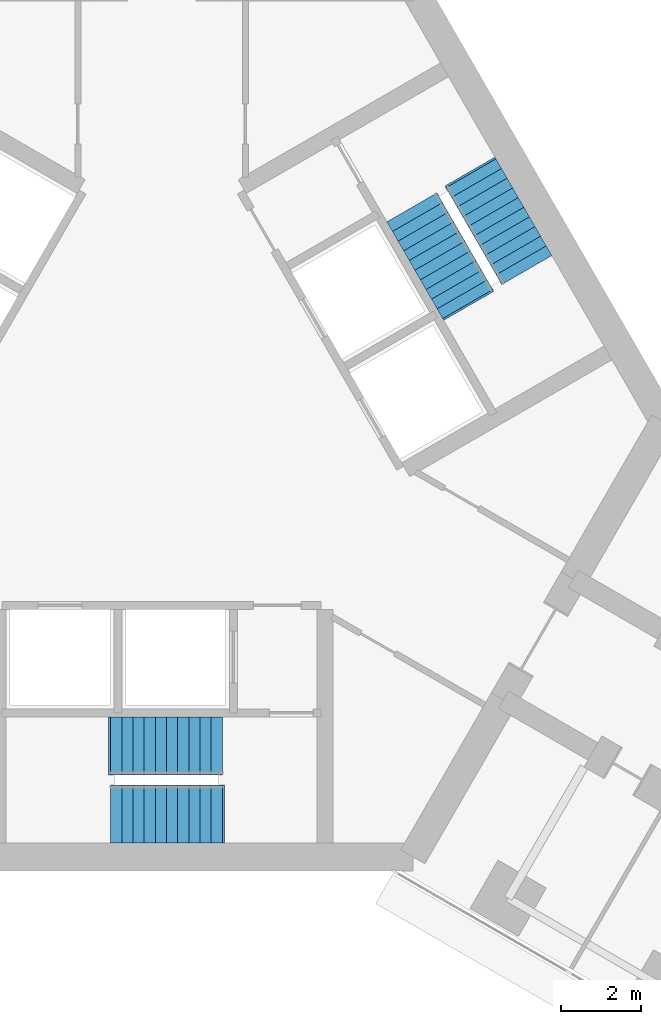
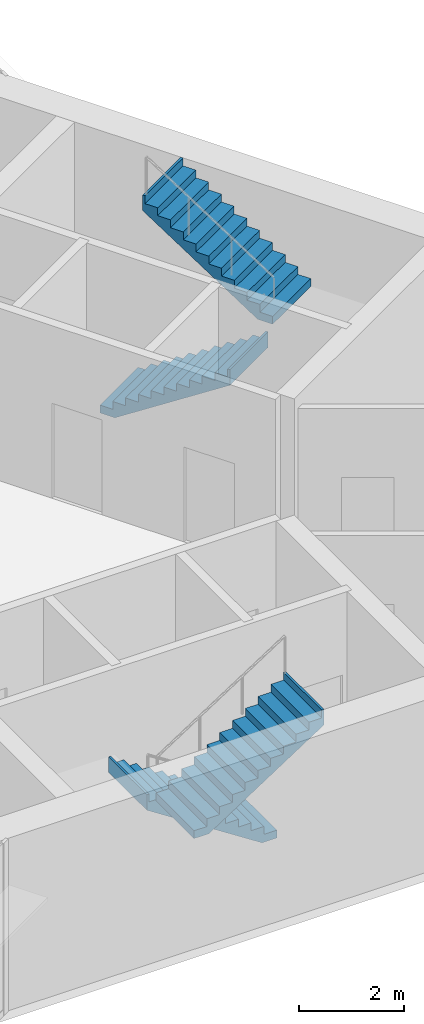
# One storey, part 24 of 25: 4 stair flights, 2 elements without a shape of their own.
"""IFC4 building model written with IfcOpenShell, lengths in metres."""

from ifc_helpers import new_model, si_unit, direction, frame, origin, place, context, subcontext, project, spatial, polyline, outline, extrude, material, type_object, element, aggregate, save


model = new_model("IFC4")

# Units and contexts
model_context = context("Model", 3, precision=1e-05, world=origin(), true_north=direction((0.0, 1.0)))
body_context = subcontext(model_context, "Body", "Model", "MODEL_VIEW")
ifc_project = project(units=[si_unit("LENGTHUNIT", "METRE"), si_unit("AREAUNIT", "SQUARE_METRE"), si_unit("VOLUMEUNIT", "CUBIC_METRE"), si_unit("PLANEANGLEUNIT", "RADIAN"), si_unit("MASSUNIT", "GRAM", prefix="KILO")], contexts=[model_context])

# Site, building, storey
site_placement = place(None, origin())
site = spatial("IfcSite", under=ifc_project, at=site_placement, CompositionType="ELEMENT")
building_placement = place(site_placement, origin())
building = spatial("IfcBuilding", under=site, at=building_placement, Name="Upepo Twin Towers", CompositionType="ELEMENT")
storey_placement = place(building_placement, frame((0.0, 0.0, 88.5)))
storey = spatial("IfcBuildingStorey", under=building, at=storey_placement, Name="L21", CompositionType="ELEMENT", Elevation=88.5)

# Stair, stair flights
ifc_material_1 = material(Name="Concrete C40/50", Category="concrete")
stair_type = type_object("IfcStairType", Name="Core stair, two flights", PredefinedType="HALF_TURN_STAIR", material=ifc_material_1)
stair_1_placement = place(storey_placement, origin())
stair_1 = element("IfcStair", 1, at=stair_1_placement, inside=storey, type_object=stair_type, Name="T2 stair S1 L21", PredefinedType="HALF_TURN_STAIR")
ifc_material_2 = material(Name="Concrete C40/50", Category="concrete")
stair_flight_type = type_object("IfcStairFlightType", Name="Stair flight 1450 RC", PredefinedType="STRAIGHT", material=ifc_material_2)
stair_flight_1_placement = place(storey_placement, frame((60.02001953125, -26.125, 0.0), z_axis=(0.0, 0.0, 1.0), x_axis=(-1.0, 0.0, 0.0)))
stair_flight_1 = element("IfcStairFlight", 2, at=stair_flight_1_placement, type_object=stair_flight_type, Name="Stair S1 flight 1", NumberOfRisers=11, NumberOfTreads=10, PredefinedType="STRAIGHT", RiserHeight=0.181818182, TreadLength=0.28, context=body_context, shape_type="SweptSolid", body=[
    extrude(outline(polyline([(0.0, 0.0), (0.0, 0.181884765625), (0.280029296875, 0.181884765625), (0.280029296875, 0.363525390625), (0.56005859375, 0.363525390625), (0.56005859375, 0.54541015625), (0.840087890625, 0.54541015625), (0.840087890625, 0.727294921875), (1.1201171875, 0.727294921875), (1.1201171875, 0.9091796875), (1.39990234375, 0.9091796875), (1.39990234375, 1.0908203125), (1.679931640625, 1.0908203125), (1.679931640625, 1.272705078125), (1.9599609375, 1.272705078125), (1.9599609375, 1.45458984375), (2.239990234375, 1.45458984375), (2.239990234375, 1.636474609375), (2.52001953125, 1.636474609375), (2.52001953125, 1.818115234375), (2.800048828125, 1.818115234375), (2.800048828125, 2.0), (2.85009765625, 2.0), (2.85009765625, 1.639404296875), (0.3251953125, 0.0), (0.0, 0.0)])), frame((0.0, 0.72509765625, 0.0), z_axis=(0.0, -1.0, 0.0), x_axis=(1.0, 0.0, 0.0)), (0.0, 0.0, 1.0), 1.449951171875),
])
stair_flight_2_placement = place(storey_placement, frame((57.219970703125, -27.833251953125, 2.0), z_axis=(0.0, 0.0, 1.0), x_axis=(1.0, 0.0, 0.0)))
stair_flight_2 = element("IfcStairFlight", 3, at=stair_flight_2_placement, type_object=stair_flight_type, Name="Stair S1 flight 2", NumberOfRisers=11, NumberOfTreads=10, PredefinedType="STRAIGHT", RiserHeight=0.181818182, TreadLength=0.28, context=body_context, shape_type="SweptSolid", body=[
    extrude(outline(polyline([(0.0, 0.0), (0.0, 0.181884765625), (0.280029296875, 0.181884765625), (0.280029296875, 0.363525390625), (0.56005859375, 0.363525390625), (0.56005859375, 0.54541015625), (0.840087890625, 0.54541015625), (0.840087890625, 0.727294921875), (1.1201171875, 0.727294921875), (1.1201171875, 0.9091796875), (1.39990234375, 0.9091796875), (1.39990234375, 1.0908203125), (1.679931640625, 1.0908203125), (1.679931640625, 1.272705078125), (1.9599609375, 1.272705078125), (1.9599609375, 1.45458984375), (2.239990234375, 1.45458984375), (2.239990234375, 1.636474609375), (2.52001953125, 1.636474609375), (2.52001953125, 1.818115234375), (2.800048828125, 1.818115234375), (2.800048828125, 2.0), (2.85009765625, 2.0), (2.85009765625, 1.639404296875), (0.3251953125, 0.0), (0.0, 0.0)])), frame((0.0, 0.72509765625, 0.0), z_axis=(0.0, -1.0, 0.0), x_axis=(1.0, 0.0, 0.0)), (0.0, 0.0, 1.0), 1.449951171875),
])
aggregate(stair_1, [stair_flight_1, stair_flight_2])

stair_2_placement = place(storey_placement, origin())
stair_2 = element("IfcStair", 4, at=stair_2_placement, inside=storey, type_object=stair_type, Name="T2 stair S2 L21", PredefinedType="HALF_TURN_STAIR")
stair_flight_3_placement = place(storey_placement, frame((64.7763671875, -12.62109375, 0.0), z_axis=(0.0, 0.0, 1.0), x_axis=(0.5, -0.866025403784, 0.0)))
stair_flight_3 = element("IfcStairFlight", 5, at=stair_flight_3_placement, type_object=stair_flight_type, Name="Stair S2 flight 1", NumberOfRisers=11, NumberOfTreads=10, PredefinedType="STRAIGHT", RiserHeight=0.181818182, TreadLength=0.28, context=body_context, shape_type="SweptSolid", body=[
    extrude(outline(polyline([(0.0, 0.0), (0.0, 0.181884765625), (0.280029296875, 0.181884765625), (0.280029296875, 0.363525390625), (0.56005859375, 0.363525390625), (0.56005859375, 0.54541015625), (0.840087890625, 0.54541015625), (0.840087890625, 0.727294921875), (1.1201171875, 0.727294921875), (1.1201171875, 0.9091796875), (1.39990234375, 0.9091796875), (1.39990234375, 1.0908203125), (1.679931640625, 1.0908203125), (1.679931640625, 1.272705078125), (1.9599609375, 1.272705078125), (1.9599609375, 1.45458984375), (2.239990234375, 1.45458984375), (2.239990234375, 1.636474609375), (2.52001953125, 1.636474609375), (2.52001953125, 1.818115234375), (2.800048828125, 1.818115234375), (2.800048828125, 2.0), (2.85009765625, 2.0), (2.85009765625, 1.639404296875), (0.3251953125, 0.0), (0.0, 0.0)])), frame((0.0, 0.72509765625, 0.0), z_axis=(0.0, -1.0, 0.0), x_axis=(1.0, 0.0, 0.0)), (0.0, 0.0, 1.0), 1.449951171875),
])
stair_flight_4_placement = place(storey_placement, frame((67.656005859375, -14.19189453125, 2.0), z_axis=(0.0, 0.0, 1.0), x_axis=(-0.5, 0.866025403784, 0.0)))
stair_flight_4 = element("IfcStairFlight", 6, at=stair_flight_4_placement, type_object=stair_flight_type, Name="Stair S2 flight 2", NumberOfRisers=11, NumberOfTreads=10, PredefinedType="STRAIGHT", RiserHeight=0.181818182, TreadLength=0.28, context=body_context, shape_type="SweptSolid", body=[
    extrude(outline(polyline([(0.0, 0.0), (0.0, 0.181884765625), (0.280029296875, 0.181884765625), (0.280029296875, 0.363525390625), (0.56005859375, 0.363525390625), (0.56005859375, 0.54541015625), (0.840087890625, 0.54541015625), (0.840087890625, 0.727294921875), (1.1201171875, 0.727294921875), (1.1201171875, 0.9091796875), (1.39990234375, 0.9091796875), (1.39990234375, 1.0908203125), (1.679931640625, 1.0908203125), (1.679931640625, 1.272705078125), (1.9599609375, 1.272705078125), (1.9599609375, 1.45458984375), (2.239990234375, 1.45458984375), (2.239990234375, 1.636474609375), (2.52001953125, 1.636474609375), (2.52001953125, 1.818115234375), (2.800048828125, 1.818115234375), (2.800048828125, 2.0), (2.85009765625, 2.0), (2.85009765625, 1.639404296875), (0.3251953125, 0.0), (0.0, 0.0)])), frame((0.0, 0.72509765625, 0.0), z_axis=(0.0, -1.0, 0.0), x_axis=(1.0, 0.0, 0.0)), (0.0, 0.0, 1.0), 1.449951171875),
])
aggregate(stair_2, [stair_flight_3, stair_flight_4])

save(model, "model.ifc")
